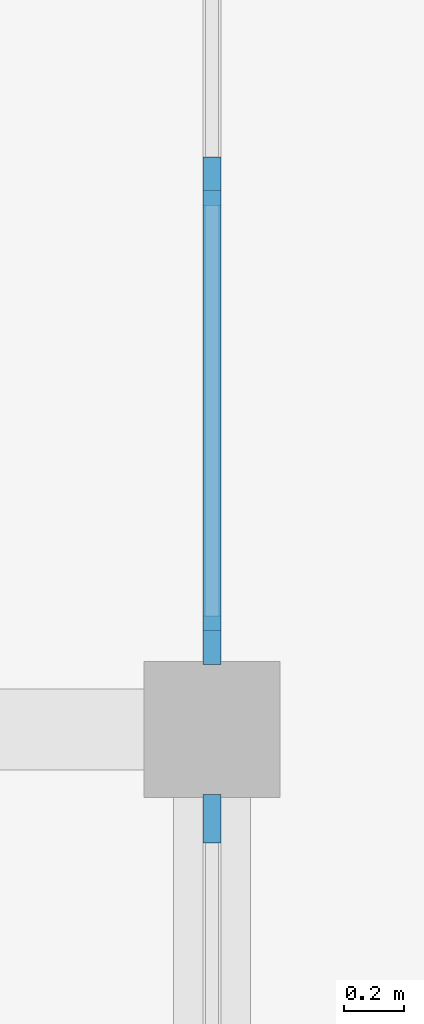
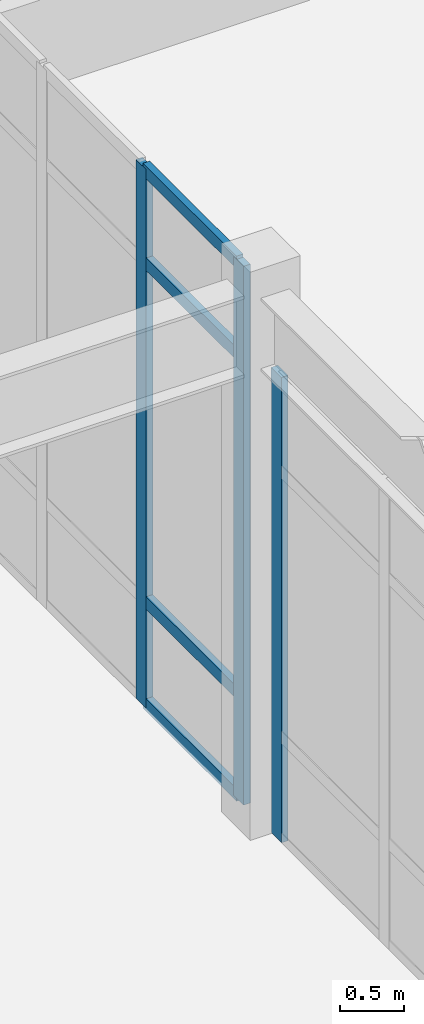
# One storey, part 11 of 54: 7 members, 2 elements without a shape of their own.
"""IFC4 building model written with IfcOpenShell, lengths in metres."""

from ifc_helpers import new_model, si_unit, direction, frame, origin, origin_2d, place, context, subcontext, project, spatial, rectangle, extrude, material, material_profile, profile_set, type_object, element, aggregate, save


model = new_model("IFC4")

# Units and contexts
model_context = context("Model", 3, precision=1e-05, world=origin(), true_north=direction((0.0, 1.0)))
body_context = subcontext(model_context, "Body", "Model", "MODEL_VIEW")
ifc_project = project(units=[si_unit("LENGTHUNIT", "METRE"), si_unit("AREAUNIT", "SQUARE_METRE"), si_unit("VOLUMEUNIT", "CUBIC_METRE"), si_unit("PLANEANGLEUNIT", "RADIAN"), si_unit("MASSUNIT", "GRAM", prefix="KILO")], contexts=[model_context])

# Site, building, storey
site_placement = place(None, origin())
site = spatial("IfcSite", under=ifc_project, at=site_placement, CompositionType="ELEMENT")
building_placement = place(site_placement, origin())
building = spatial("IfcBuilding", under=site, at=building_placement, Name="Veldera Park Congress Hotel", CompositionType="ELEMENT")
storey_placement = place(building_placement, origin())
storey = spatial("IfcBuildingStorey", under=building, at=storey_placement, Name="L00", CompositionType="ELEMENT", Elevation=0.0)

# Curtain wall, member
ifc_material_1 = material(Name="Low-E Triple Insulating Glass Unit (SHGC 0.22)", Category="glass")
curtain_wall_type = type_object("IfcCurtainWallType", Name="CW-SPA", PredefinedType="NOTDEFINED", material=ifc_material_1)
curtain_wall_1_placement = place(storey_placement, origin())
curtain_wall_1 = element("IfcCurtainWall", 1, at=curtain_wall_1_placement, inside=storey, type_object=curtain_wall_type, Name="L00 Curtain Wall CW3-V3E-L00-008", PredefinedType="NOTDEFINED")
ifc_material_2 = material(Name="Anodised Aluminium Alloy 6063-T6", Category="aluminium")
ifc_material_profile_1 = material_profile(ifc_material_2, rectangle(XDim=0.06005859375, YDim=0.159912109375, at=origin_2d()), Name="ALU 60x160")
ifc_profile_set_1 = profile_set([ifc_material_profile_1], Name="Anodised Aluminium Alloy 6063-T6")
member_type_1 = type_object("IfcMemberType", Name="CWM-160", PredefinedType="MULLION", material=ifc_profile_set_1)
member_1_placement = place(storey_placement, frame((-45.800048828125, -30.89501953125, 0.0), z_axis=(0.0, 0.0, 1.0), x_axis=(-1.0, 0.0, 0.0)))
member_1 = element("IfcMember", 2, at=member_1_placement, type_object=member_type_1, Name="CW-SPA mullion 4", PredefinedType="MULLION", context=body_context, shape_type="SweptSolid", body=[
    extrude(rectangle(XDim=0.06005859375, YDim=0.159912109375, at=origin_2d()), origin(), (0.0, 0.0, 1.0), 4.422119140625),
])
aggregate(curtain_wall_1, [member_1])

# Curtain wall, members
curtain_wall_2_placement = place(storey_placement, origin())
curtain_wall_2 = element("IfcCurtainWall", 3, at=curtain_wall_2_placement, inside=storey, type_object=curtain_wall_type, Name="L00 Curtain Wall CW3-V3E-L00-009", PredefinedType="NOTDEFINED")
member_2_placement = place(storey_placement, frame((-45.800048828125, -30.304931640625, 0.0), z_axis=(0.0, 0.0, 1.0), x_axis=(-1.0, 0.0, 0.0)))
member_2 = element("IfcMember", 4, at=member_2_placement, type_object=member_type_1, Name="CW-SPA mullion 1", PredefinedType="MULLION", context=body_context, shape_type="SweptSolid", body=[
    extrude(rectangle(XDim=0.06005859375, YDim=0.159912109375, at=origin_2d()), origin(), (0.0, 0.0, 1.0), 5.1201171875),
])
member_3_placement = place(storey_placement, frame((-45.800048828125, -28.78662109375, 0.0), z_axis=(0.0, 0.0, 1.0), x_axis=(-1.0, 0.0, 0.0)))
member_3 = element("IfcMember", 5, at=member_3_placement, type_object=member_type_1, Name="CW-SPA mullion 2", PredefinedType="MULLION", context=body_context, shape_type="SweptSolid", body=[
    extrude(rectangle(XDim=0.06005859375, YDim=0.159912109375, at=origin_2d()), origin(), (0.0, 0.0, 1.0), 5.1201171875),
])
ifc_material_profile_2 = material_profile(ifc_material_2, rectangle(XDim=0.06005859375, YDim=0.1201171875, at=origin_2d()), Name="ALU 60x120")
ifc_profile_set_2 = profile_set([ifc_material_profile_2], Name="Anodised Aluminium Alloy 6063-T6")
member_type_2 = type_object("IfcMemberType", Name="CWT-120", PredefinedType="USERDEFINED", material=ifc_profile_set_2)
member_4_placement = place(storey_placement, frame((-45.800048828125, -30.27490234375, 0.030029296875), z_axis=(0.0, 1.0, 0.0), x_axis=(-1.0, 0.0, 0.0)))
member_4 = element("IfcMember", 6, at=member_4_placement, type_object=member_type_2, Name="CW-SPA transom 1.1", ObjectType="TRANSOM", PredefinedType="USERDEFINED", context=body_context, shape_type="SweptSolid", body=[
    extrude(rectangle(XDim=0.06005859375, YDim=0.1201171875, at=origin_2d()), origin(), (0.0, 0.0, 1.0), 1.458251953125),
])
member_5_placement = place(storey_placement, frame((-45.800048828125, -30.27490234375, 1.0), z_axis=(0.0, 1.0, 0.0), x_axis=(-1.0, 0.0, 0.0)))
member_5 = element("IfcMember", 7, at=member_5_placement, type_object=member_type_2, Name="CW-SPA transom 1.2", ObjectType="TRANSOM", PredefinedType="USERDEFINED", context=body_context, shape_type="SweptSolid", body=[
    extrude(rectangle(XDim=0.06005859375, YDim=0.1201171875, at=origin_2d()), origin(), (0.0, 0.0, 1.0), 1.458251953125),
])
member_6_placement = place(storey_placement, frame((-45.800048828125, -30.27490234375, 4.219970703125), z_axis=(0.0, 1.0, 0.0), x_axis=(-1.0, 0.0, 0.0)))
member_6 = element("IfcMember", 8, at=member_6_placement, type_object=member_type_2, Name="CW-SPA transom 1.3", ObjectType="TRANSOM", PredefinedType="USERDEFINED", context=body_context, shape_type="SweptSolid", body=[
    extrude(rectangle(XDim=0.06005859375, YDim=0.1201171875, at=origin_2d()), origin(), (0.0, 0.0, 1.0), 1.458251953125),
])
member_7_placement = place(storey_placement, frame((-45.800048828125, -30.27490234375, 5.090087890625), z_axis=(0.0, 1.0, 0.0), x_axis=(-1.0, 0.0, 0.0)))
member_7 = element("IfcMember", 9, at=member_7_placement, type_object=member_type_2, Name="CW-SPA transom 1.4", ObjectType="TRANSOM", PredefinedType="USERDEFINED", context=body_context, shape_type="SweptSolid", body=[
    extrude(rectangle(XDim=0.06005859375, YDim=0.1201171875, at=origin_2d()), origin(), (0.0, 0.0, 1.0), 1.458251953125),
])
aggregate(curtain_wall_2, [member_2, member_3, member_4, member_5, member_6, member_7])

save(model, "model.ifc")
